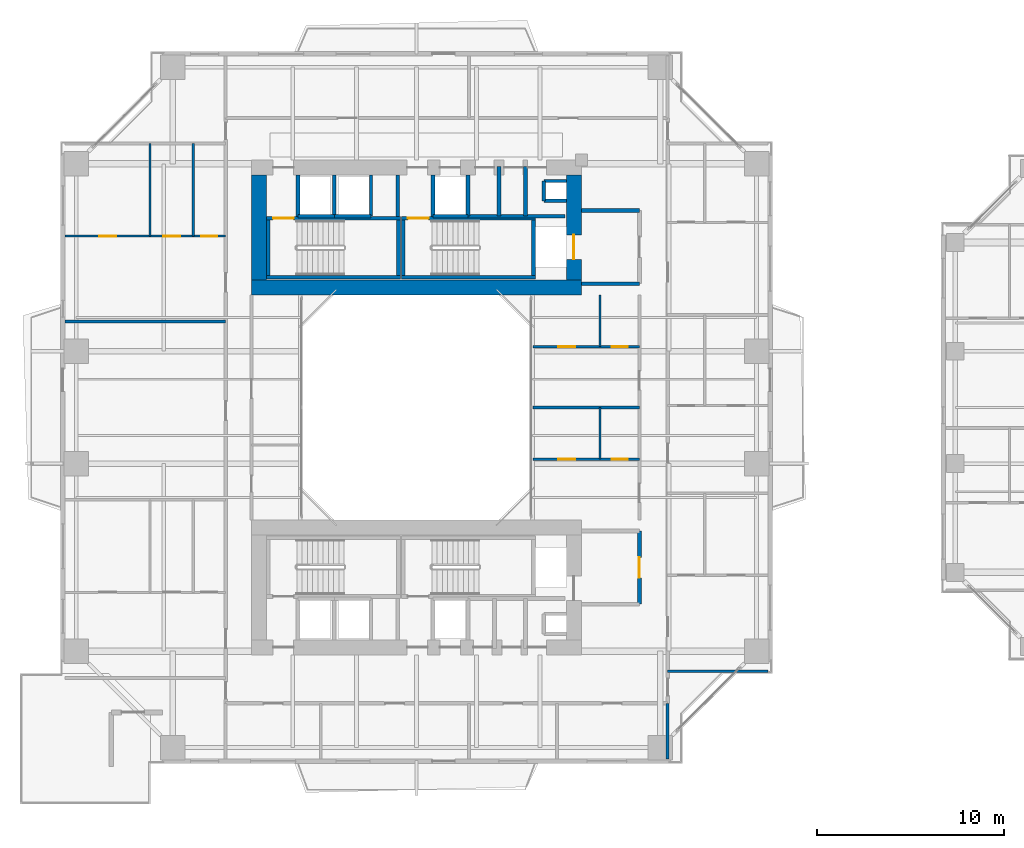
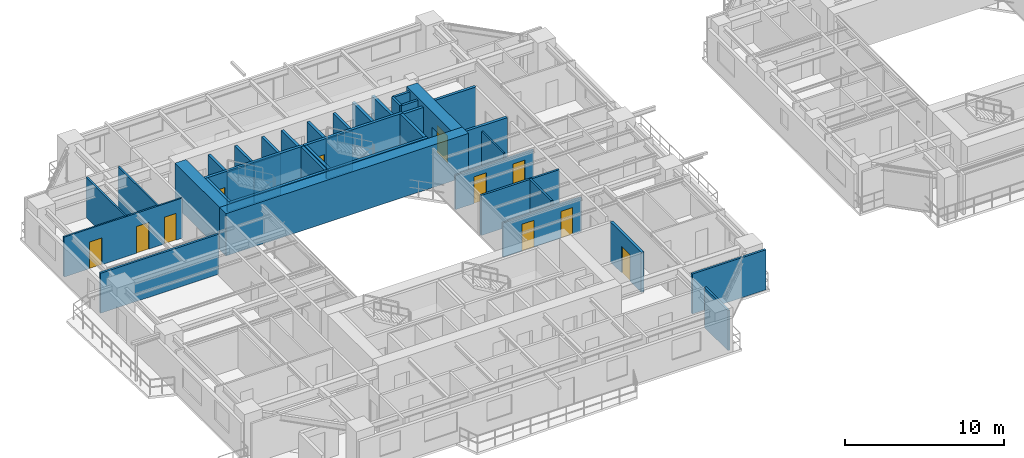
# One storey, part 13 of 22: 40 walls, 11 doors, 11 openings.
"""IFC4 building model written with IfcOpenShell, lengths in metres."""

import ifcopenshell
import ifcopenshell.guid

model = None  # the IFC model being written
_history = None  # IfcOwnerHistory: only IFC2X3 demands one
_inside = {}  # id of a spatial element -> (the spatial element, [elements in it])
_under = {}  # id of a project, library or spatial element -> (it, [spatial elements below it])
_declared = {}  # id of a project -> (the project, [libraries it declares])
_typed = {}  # id of a type object -> (the type object, [elements of that type])
_made_of = {}  # id of a material, layer set ... -> (it, [elements and type objects made of it])


def new_model(schema):
    """Start an empty IFC model of exactly this schema.

    Asked for "IFC4X3", IfcOpenShell would pick the latest addendum, in which some entities
    have other attributes; the version numbers below select the first issue.
    IFC2X3 requires an IfcOwnerHistory on every rooted entity: one is made here for all.
    """
    global model, _history
    if schema == "IFC4X3":
        model = ifcopenshell.file(schema_version=(4, 3, 0, 0))
    else:
        model = ifcopenshell.file(schema=schema)
    _inside.clear()
    _under.clear()
    _declared.clear()
    _typed.clear()
    _made_of.clear()
    _history = None
    if model.schema == "IFC2X3":
        org = make("IfcOrganization", Name="unknown")
        user = make(
            "IfcPersonAndOrganization",
            ThePerson=make("IfcPerson", FamilyName="unknown"),
            TheOrganization=org,
        )
        app = make(
            "IfcApplication",
            ApplicationDeveloper=org,
            Version="unknown",
            ApplicationFullName="unknown",
            ApplicationIdentifier="unknown",
        )
        _history = make(
            "IfcOwnerHistory",
            OwningUser=user,
            OwningApplication=app,
            ChangeAction="ADDED",
            CreationDate=0,
        )
    return model


def make(cls, **values):
    """One entity of the class cls with the attributes given. An attribute that is None is left unset."""
    return model.create_entity(
        cls, **{name: value for name, value in values.items() if value is not None}
    )


def rooted(cls, **values):
    """An entity with a GlobalId (a new one), such as an element, a storey or a relation."""
    return make(cls, GlobalId=ifcopenshell.guid.new(), OwnerHistory=_history, **values)


def si_unit(unit_type, name, prefix=None):
    """IfcSIUnit, for example si_unit("LENGTHUNIT", "METRE", prefix="MILLI")."""
    return make("IfcSIUnit", UnitType=unit_type, Prefix=prefix, Name=name)


def assignment(units):
    """IfcUnitAssignment: the units of a project."""
    return None if units is None else make("IfcUnitAssignment", Units=units)


def point(xyz):
    """IfcCartesianPoint."""
    return None if xyz is None else make("IfcCartesianPoint", Coordinates=xyz)


def direction(xyz):
    """IfcDirection."""
    return None if xyz is None else make("IfcDirection", DirectionRatios=xyz)


def frame(location, z_axis=None, x_axis=None):
    """IfcAxis2Placement3D, a coordinate frame: its origin and axes. An axis left out is left unset."""
    return make(
        "IfcAxis2Placement3D",
        Location=point(location),
        Axis=direction(z_axis),
        RefDirection=direction(x_axis),
    )


def frame_2d(location, x_axis=None):
    """IfcAxis2Placement2D, a coordinate frame in the plane: its origin and x axis."""
    return make(
        "IfcAxis2Placement2D", Location=point(location), RefDirection=direction(x_axis)
    )


def origin():
    """The frame at (0, 0, 0) with its axes left unset."""
    return frame((0.0, 0.0, 0.0))


def place(relative_to, where):
    """IfcLocalPlacement: puts the frame where relative to a parent placement (None: the world)."""
    return make(
        "IfcLocalPlacement", PlacementRelTo=relative_to, RelativePlacement=where
    )


def context(
    kind, dimensions, precision=None, world=None, true_north=None, identifier=None
):
    """IfcGeometricRepresentationContext, for example the 3D "Model" context."""
    return make(
        "IfcGeometricRepresentationContext",
        ContextIdentifier=identifier,
        ContextType=kind,
        CoordinateSpaceDimension=dimensions,
        Precision=precision,
        WorldCoordinateSystem=world,
        TrueNorth=true_north,
    )


def subcontext(parent, identifier, kind, view, scale=None):
    """IfcGeometricRepresentationSubContext, for example "Body" below "Model"."""
    return make(
        "IfcGeometricRepresentationSubContext",
        ContextIdentifier=identifier,
        ContextType=kind,
        ParentContext=parent,
        TargetScale=scale,
        TargetView=view,
    )


def project(units=None, contexts=None):
    """IfcProject with its units and contexts."""
    return rooted(
        "IfcProject",
        Name="project",
        RepresentationContexts=contexts,
        UnitsInContext=assignment(units),
    )


def spatial(cls, under=None, at=None, **own):
    """A site, building, storey or space (cls), placed at a placement, below another one or the project."""
    s = rooted(cls, ObjectPlacement=at, **own)
    if under is not None:
        _under.setdefault(under.id(), (under, []))[1].append(s)
    return s


def profile(cls, at=None, kind="AREA", **sizes):
    """A parametric profile (cls). Its sizes go by their IFC names, for example OverallWidth=200.0."""
    return make(cls, ProfileType=kind, Position=at, **sizes)


def rectangle(**sizes):
    """IfcRectangleProfileDef."""
    return profile("IfcRectangleProfileDef", **sizes)


def extrude(swept, where, along, depth):
    """IfcExtrudedAreaSolid: the profile swept, set in the frame where, extruded along a direction by depth."""
    return make(
        "IfcExtrudedAreaSolid",
        SweptArea=swept,
        Position=where,
        ExtrudedDirection=direction(along),
        Depth=depth,
    )


def shape(context_of_items, identifier, shape_type, items):
    """IfcShapeRepresentation: the items that make up one representation, for example the "Body"."""
    return make(
        "IfcShapeRepresentation",
        ContextOfItems=context_of_items,
        RepresentationIdentifier=identifier,
        RepresentationType=shape_type,
        Items=items,
    )


def source(mapping_origin, context_of_items, identifier, shape_type, items):
    """IfcRepresentationMap: a shape defined once, which mapped items show again and again."""
    return make(
        "IfcRepresentationMap",
        MappingOrigin=mapping_origin,
        MappedRepresentation=shape(context_of_items, identifier, shape_type, items),
    )


def transform(
    local_origin,
    x_axis=None,
    y_axis=None,
    z_axis=None,
    scale=None,
    scale2=None,
    scale3=None,
    uniform=True,
):
    """IfcCartesianTransformationOperator3D, or its non-uniform kind. x_axis, y_axis, z_axis: its Axis1, 2, 3."""
    if uniform:
        return make(
            "IfcCartesianTransformationOperator3D",
            Axis1=direction(x_axis),
            Axis2=direction(y_axis),
            LocalOrigin=point(local_origin),
            Scale=scale,
            Axis3=direction(z_axis),
        )
    return make(
        "IfcCartesianTransformationOperator3DnonUniform",
        Axis1=direction(x_axis),
        Axis2=direction(y_axis),
        LocalOrigin=point(local_origin),
        Scale=scale,
        Axis3=direction(z_axis),
        Scale2=scale2,
        Scale3=scale3,
    )


def mapped(mapping_source, mapping_target):
    """IfcMappedItem: shows the shape of a source again, moved by a transform."""
    return make(
        "IfcMappedItem", MappingSource=mapping_source, MappingTarget=mapping_target
    )


def material(Name=None, Category=None):
    """IfcMaterial."""
    return make("IfcMaterial", Name=Name, Category=Category)


def layer(
    of_material, thickness, ventilated=None, Name=None, Category=None, Priority=None
):
    """IfcMaterialLayer: one layer of a wall or slab, of a material (None: an air gap)."""
    return make(
        "IfcMaterialLayer",
        Material=of_material,
        LayerThickness=thickness,
        IsVentilated=ventilated,
        Name=Name,
        Category=Category,
        Priority=Priority,
    )


def layer_set(layers, Name=None):
    """IfcMaterialLayerSet."""
    return make("IfcMaterialLayerSet", MaterialLayers=layers, LayerSetName=Name)


def made_of(thing, what):
    """Note that an element or type object is made of a material, layer set ...; save() writes the relation."""
    if what is not None:
        _made_of.setdefault(what.id(), (what, []))[1].append(thing)
    return thing


def type_object(cls, material=None, **own):
    """A type object (cls), such as IfcWallType, which elements share."""
    return made_of(rooted(cls, **own), material)


def element(
    cls,
    number,
    at=None,
    inside=None,
    cuts=None,
    type_object=None,
    material=None,
    context=None,
    identifier="Body",
    shape_type=None,
    held_by="IfcProductDefinitionShape",
    body=None,
    shapes=None,
    **own,
):
    """One element of the class cls, such as IfcWall. Its Tag is "e" and its number.

    at: its placement. inside: the storey or other place that contains it. cuts: it is an
    opening in that element (IfcRelVoidsElement). A single representation is given by context,
    identifier, shape_type and body (its items); several are given by shapes. held_by: the class
    of the entity that holds the representations. save() writes the other relations.
    """
    e = rooted(cls, Tag="e%d" % number, ObjectPlacement=at, **own)
    if body is not None:
        shapes = [shape(context, identifier, shape_type, body)]
    if shapes is not None:
        e.Representation = make(held_by, Representations=shapes)
    if inside is not None:
        _inside.setdefault(inside.id(), (inside, []))[1].append(e)
    if cuts is not None:
        rooted(
            "IfcRelVoidsElement", RelatingBuildingElement=cuts, RelatedOpeningElement=e
        )
    if type_object is not None:
        _typed.setdefault(type_object.id(), (type_object, []))[1].append(e)
    return made_of(e, material)


def fill(opening, filler):
    """IfcRelFillsElement: the door or window that sits in an opening."""
    return rooted(
        "IfcRelFillsElement",
        RelatingOpeningElement=opening,
        RelatedBuildingElement=filler,
    )


def aggregate(whole, parts):
    """IfcRelAggregates: a whole, such as a stair, and the parts it consists of."""
    return rooted("IfcRelAggregates", RelatingObject=whole, RelatedObjects=parts)


def save(model, path):
    """Write the relations noted so far, then the file.

    IfcRelAggregates (storeys below a building ...), IfcRelContainedInSpatialStructure (elements
    in a storey), IfcRelDefinesByType, IfcRelAssociatesMaterial and IfcRelDeclares: one each for
    every whole, place, type object, material and project.
    """
    for whole, parts in _under.values():
        aggregate(whole, parts)
    for where, things in _inside.values():
        rooted(
            "IfcRelContainedInSpatialStructure",
            RelatedElements=things,
            RelatingStructure=where,
        )
    for kind, things in _typed.values():
        rooted("IfcRelDefinesByType", RelatedObjects=things, RelatingType=kind)
    for what, things in _made_of.values():
        rooted("IfcRelAssociatesMaterial", RelatedObjects=things, RelatingMaterial=what)
    for by, libraries in _declared.values():
        rooted("IfcRelDeclares", RelatingContext=by, RelatedDefinitions=libraries)
    model.write(path)


model = new_model("IFC4")

# Units and contexts
model_context = context("Model", 3, precision=1e-05, world=origin(), true_north=direction((0.0, 1.0)))
body_context = subcontext(model_context, "Body", "Model", "MODEL_VIEW")
ifc_project = project(units=[si_unit("LENGTHUNIT", "METRE"), si_unit("AREAUNIT", "SQUARE_METRE"), si_unit("VOLUMEUNIT", "CUBIC_METRE"), si_unit("PLANEANGLEUNIT", "RADIAN"), si_unit("MASSUNIT", "GRAM", prefix="KILO"), si_unit("THERMODYNAMICTEMPERATUREUNIT", "KELVIN"), si_unit("POWERUNIT", "WATT")], contexts=[model_context])

# Site, building, storey
site_placement = place(None, origin())
site = spatial("IfcSite", under=ifc_project, at=site_placement, CompositionType="ELEMENT")
building_placement = place(site_placement, origin())
building = spatial("IfcBuilding", under=site, at=building_placement, Name="Qiaomeng Ring Towers", CompositionType="ELEMENT")
storey_placement = place(building_placement, frame((0.0, 0.0, 53.5)))
storey = spatial("IfcBuildingStorey", under=building, at=storey_placement, Name="L14", CompositionType="ELEMENT", Elevation=53.5)

# Walls
ifc_material_1 = material(Name="Autoclaved aerated concrete block", Category="concrete")
ifc_layer_1 = layer(ifc_material_1, 0.199951171875, Name="Autoclaved aerated concrete block")
ifc_layer_set_1 = layer_set([ifc_layer_1], Name="Autoclaved aerated concrete block")
wall_type_1 = type_object("IfcWallType", Name="ARC-WL-PW1", PredefinedType="PARTITIONING", material=ifc_layer_set_1)
for number, where, z_axis, x_axis, name in (
    (1, (27.800048828125, 29.60009765625, 0.0), (0.0, 0.0, 1.0), (1.0, 0.0, 0.0), "L14 Interior Wall PW1"),
    (2, (27.800048828125, 33.5, 0.0), (0.0, 0.0, 1.0), (1.0, 0.0, 0.0), "L14 Interior Wall PW1"),
):
    element("IfcWall", number, at=place(storey_placement, frame(where, z_axis=z_axis, x_axis=x_axis)), inside=storey, type_object=wall_type_1, Name=name, PredefinedType="PARTITIONING", context=body_context, shape_type="SweptSolid", body=[
        extrude(rectangle(XDim=3.099853515625, YDim=0.199951171875, at=frame_2d((1.5498046875, 0.0))), origin(), (0.0, 0.0, 1.0), 3.070068359375),
    ])

# Wall, opening, door
wall_1_placement = place(storey_placement, frame((30.89990234375, 12.5, 0.0), z_axis=(0.0, 0.0, 1.0), x_axis=(0.0, 1.0, 0.0)))
wall_1 = element("IfcWall", 3, at=wall_1_placement, inside=storey, type_object=wall_type_1, Name="L14 Interior Wall PW1", PredefinedType="PARTITIONING", context=body_context, shape_type="SweptSolid", body=[
    extrude(rectangle(XDim=3.89990234375, YDim=0.199951171875, at=frame_2d((1.949951171875, 0.0))), origin(), (0.0, 0.0, 1.0), 3.070068359375),
])
opening_1_placement = place(wall_1_placement, frame((1.39990234375, 0.0, 0.0)))
opening_1 = element("IfcOpeningElement", 4, at=opening_1_placement, cuts=wall_1, Name="Opening FD3", PredefinedType="OPENING", context=body_context, shape_type="SweptSolid", body=[
    extrude(rectangle(XDim=1.10009765625, YDim=2.050048828125, at=frame_2d((0.550048828125, 1.02490234375))), frame((0.0, 0.10986328125, 0.0), z_axis=(0.0, -1.0, 0.0), x_axis=(1.0, 0.0, 0.0)), (0.0, 0.0, 1.0), 0.219970703125),
])
ifc_material_2 = material(Name="Galvanised steel", Category="steel")
door_type_1 = type_object("IfcDoorType", Name="ARC-DR-FD3", OperationType="NOTDEFINED", PredefinedType="DOOR", material=ifc_material_2)
shared_shape_1 = source(origin(), body_context, "Body", "SweptSolid", [
    extrude(rectangle(XDim=1.10009765625, YDim=2.050048828125, at=frame_2d((0.550048828125, 1.02490234375))), frame((0.0, 0.02490234375, 0.0), z_axis=(0.0, -1.0, 0.0), x_axis=(1.0, 0.0, 0.0)), (0.0, 0.0, 1.0), 0.050048828125),
])
door_1_placement = place(opening_1_placement, origin())
door_1 = element("IfcDoor", 5, at=door_1_placement, inside=storey, type_object=door_type_1, Name="L14 South FF Lobby Door", OperationType="SINGLE_SWING_RIGHT", OverallHeight=2.050048828125, OverallWidth=1.10009765625, PredefinedType="DOOR", context=body_context, shape_type="MappedRepresentation", body=[
    mapped(shared_shape_1, transform((0.0, 0.0, 0.0), x_axis=(1.0, 0.0, 0.0), y_axis=(0.0, 1.0, 0.0), z_axis=(0.0, 0.0, 1.0), scale=1.0)),
])
fill(opening_1, door_1)

# Walls
for number, where, z_axis, x_axis, name in (
    (6, (12.679931640625, 33.18994140625, 0.0), (0.0, 0.0, 1.0), (0.0, 1.0, 0.0), "L14 Interior Wall PW1"),
    (7, (18.0, 33.18994140625, 0.0), (0.0, 0.0, 1.0), (0.0, 1.0, 0.0), "L14 Interior Wall PW1"),
    (8, (19.8798828125, 33.18994140625, 0.0), (0.0, 0.0, 1.0), (0.0, 1.0, 0.0), "L14 Interior Wall PW1"),
):
    element("IfcWall", number, at=place(storey_placement, frame(where, z_axis=z_axis, x_axis=x_axis)), inside=storey, type_object=wall_type_1, Name=name, PredefinedType="PARTITIONING", context=body_context, shape_type="SweptSolid", body=[
        extrude(rectangle(XDim=2.2099609375, YDim=0.199951171875, at=frame_2d((1.10498046875, 0.0))), origin(), (0.0, 0.0, 1.0), 3.070068359375),
    ])
wall_2_placement = place(storey_placement, frame((24.820068359375, 33.199951171875, 0.0), z_axis=(0.0, 0.0, 1.0), x_axis=(0.0, 1.0, 0.0)))
element("IfcWall", 9, at=wall_2_placement, inside=storey, type_object=wall_type_1, Name="L14 Interior Wall PW1", PredefinedType="PARTITIONING", context=body_context, shape_type="SweptSolid", body=[
    extrude(rectangle(XDim=2.650146484375, YDim=0.199951171875, at=frame_2d((1.3251953125, 0.0))), origin(), (0.0, 0.0, 1.0), 3.070068359375),
])
wall_3_placement = place(storey_placement, frame((21.75, 33.199951171875, 0.0), z_axis=(0.0, 0.0, 1.0), x_axis=(0.0, 1.0, 0.0)))
element("IfcWall", 10, at=wall_3_placement, inside=storey, type_object=wall_type_1, Name="L14 Interior Wall PW1", PredefinedType="PARTITIONING", context=body_context, shape_type="SweptSolid", body=[
    extrude(rectangle(XDim=2.199951171875, YDim=0.199951171875, at=frame_2d((1.10009765625, 0.0))), origin(), (0.0, 0.0, 1.0), 3.070068359375),
])
wall_4_placement = place(storey_placement, frame((23.39990234375, 33.199951171875, 0.0), z_axis=(0.0, 0.0, 1.0), x_axis=(0.0, 1.0, 0.0)))
element("IfcWall", 11, at=wall_4_placement, inside=storey, type_object=wall_type_1, Name="L14 Interior Wall PW1", PredefinedType="PARTITIONING", context=body_context, shape_type="SweptSolid", body=[
    extrude(rectangle(XDim=2.650146484375, YDim=0.199951171875, at=frame_2d((1.3251953125, 0.0))), origin(), (0.0, 0.0, 1.0), 3.070068359375),
])
wall_5_placement = place(storey_placement, frame((21.75, 33.199951171875, 0.0), z_axis=(0.0, 0.0, 1.0), x_axis=(1.0, 0.0, 0.0)))
element("IfcWall", 12, at=wall_5_placement, inside=storey, type_object=wall_type_1, Name="L14 Interior Wall PW1", PredefinedType="PARTITIONING", context=body_context, shape_type="SweptSolid", body=[
    extrude(rectangle(XDim=5.169921875, YDim=0.199951171875, at=frame_2d((2.5849609375, 0.0))), origin(), (0.0, 0.0, 1.0), 3.070068359375),
])
ifc_material_3 = material(Name="Gypsum fireboard steel-stud partition", Category="steel")
ifc_layer_2 = layer(ifc_material_3, 0.14990234375, Name="Gypsum fireboard steel-stud partition")
ifc_layer_set_2 = layer_set([ifc_layer_2], Name="Gypsum fireboard steel-stud partition")
wall_type_2 = type_object("IfcWallType", Name="ARC-WL-PW3", PredefinedType="PARTITIONING", material=ifc_layer_set_2)
wall_6_placement = place(storey_placement, frame((32.39990234375, 4.25, 0.0), z_axis=(0.0, 0.0, 1.0), x_axis=(0.0, 1.0, 0.0)))
element("IfcWall", 13, at=wall_6_placement, inside=storey, type_object=wall_type_2, Name="L14 Interior Wall PW3", PredefinedType="PARTITIONING", context=body_context, shape_type="SweptSolid", body=[
    extrude(rectangle(XDim=2.9599609375, YDim=0.14990234375, at=frame_2d((1.47998046875, 0.0))), origin(), (0.0, 0.0, 1.0), 3.070068359375),
])
wall_7_placement = place(storey_placement, frame((0.25, 27.580078125, 0.0), z_axis=(0.0, 0.0, 1.0), x_axis=(1.0, 0.0, 0.0)))
element("IfcWall", 14, at=wall_7_placement, inside=storey, type_object=wall_type_2, Name="L14 Interior Wall PW3", PredefinedType="PARTITIONING", context=body_context, shape_type="SweptSolid", body=[
    extrude(rectangle(XDim=8.570068359375, YDim=0.14990234375, at=frame_2d((4.28515625, 0.0))), origin(), (0.0, 0.0, 1.0), 3.070068359375),
])
wall_8_placement = place(storey_placement, frame((32.39990234375, 8.919921875, 0.0), z_axis=(0.0, 0.0, 1.0), x_axis=(1.0, 0.0, 0.0)))
element("IfcWall", 15, at=wall_8_placement, inside=storey, type_object=wall_type_2, Name="L14 Interior Wall PW3", PredefinedType="PARTITIONING", context=body_context, shape_type="SweptSolid", body=[
    extrude(rectangle(XDim=5.35009765625, YDim=0.14990234375, at=frame_2d((2.675048828125, 0.0))), origin(), (0.0, 0.0, 1.0), 3.070068359375),
])
wall_9_placement = place(storey_placement, frame((25.219970703125, 23.0, 0.0), z_axis=(0.0, 0.0, 1.0), x_axis=(1.0, 0.0, 0.0)))
element("IfcWall", 16, at=wall_9_placement, inside=storey, type_object=wall_type_2, Name="L14 Interior Wall PW3", PredefinedType="PARTITIONING", context=body_context, shape_type="SweptSolid", body=[
    extrude(rectangle(XDim=5.679931640625, YDim=0.14990234375, at=frame_2d((2.83984375, 0.0))), origin(), (0.0, 0.0, 1.0), 3.070068359375),
])

# Wall, openings, doors
ifc_material_4 = material(Name="Moisture-resistant gypsum steel-stud partition", Category="steel")
ifc_layer_3 = layer(ifc_material_4, 0.1201171875, Name="Moisture-resistant gypsum steel-stud partition")
ifc_layer_set_3 = layer_set([ifc_layer_3], Name="Moisture-resistant gypsum steel-stud partition")
wall_type_3 = type_object("IfcWallType", Name="ARC-WL-PW4", PredefinedType="PLUMBINGWALL", material=ifc_layer_set_3)
wall_10_placement = place(storey_placement, frame((0.25, 32.139892578125, 0.0), z_axis=(0.0, 0.0, 1.0), x_axis=(1.0, 0.0, 0.0)))
wall_10 = element("IfcWall", 17, at=wall_10_placement, inside=storey, type_object=wall_type_3, Name="L14 Interior Wall PW4", PredefinedType="PLUMBINGWALL", context=body_context, shape_type="SweptSolid", body=[
    extrude(rectangle(XDim=8.570068359375, YDim=0.1201171875, at=frame_2d((4.28515625, 0.0))), origin(), (0.0, 0.0, 1.0), 3.070068359375),
])
opening_2_placement = place(wall_10_placement, frame((1.824951171875, 0.0, 0.0)))
opening_2 = element("IfcOpeningElement", 18, at=opening_2_placement, cuts=wall_10, Name="Opening ID1", PredefinedType="OPENING", context=body_context, shape_type="SweptSolid", body=[
    extrude(rectangle(XDim=0.89990234375, YDim=2.050048828125, at=frame_2d((0.449951171875, 1.02490234375))), frame((0.0, 0.070068359375, 0.0), z_axis=(0.0, -1.0, 0.0), x_axis=(1.0, 0.0, 0.0)), (0.0, 0.0, 1.0), 0.14013671875),
])
opening_3_placement = place(wall_10_placement, frame((5.239990234375, 0.0, 0.0)))
opening_3 = element("IfcOpeningElement", 19, at=opening_3_placement, cuts=wall_10, Name="Opening ID1", PredefinedType="OPENING", context=body_context, shape_type="SweptSolid", body=[
    extrude(rectangle(XDim=0.89990234375, YDim=2.050048828125, at=frame_2d((0.449951171875, 1.02490234375))), frame((0.0, 0.070068359375, 0.0), z_axis=(0.0, -1.0, 0.0), x_axis=(1.0, 0.0, 0.0)), (0.0, 0.0, 1.0), 0.14013671875),
])
opening_4_placement = place(wall_10_placement, frame((7.27490234375, 0.0, 0.0)))
opening_4 = element("IfcOpeningElement", 20, at=opening_4_placement, cuts=wall_10, Name="Opening ID2", PredefinedType="OPENING", context=body_context, shape_type="SweptSolid", body=[
    extrude(rectangle(XDim=0.85009765625, YDim=2.050048828125, at=frame_2d((0.425048828125, 1.02490234375))), frame((0.0, 0.070068359375, 0.0), z_axis=(0.0, -1.0, 0.0), x_axis=(1.0, 0.0, 0.0)), (0.0, 0.0, 1.0), 0.14013671875),
])
ifc_material_5 = material(Name="Moisture-resistant engineered timber", Category="wood")
door_type_2 = type_object("IfcDoorType", Name="ARC-DR-ID2", OperationType="NOTDEFINED", PredefinedType="DOOR", material=ifc_material_5)
shared_shape_2 = source(origin(), body_context, "Body", "SweptSolid", [
    extrude(rectangle(XDim=0.85009765625, YDim=2.050048828125, at=frame_2d((0.425048828125, 1.02490234375))), frame((0.0, 0.02490234375, 0.0), z_axis=(0.0, -1.0, 0.0), x_axis=(1.0, 0.0, 0.0)), (0.0, 0.0, 1.0), 0.050048828125),
])
door_2_placement = place(opening_4_placement, origin())
door_2 = element("IfcDoor", 21, at=door_2_placement, inside=storey, type_object=door_type_2, Name="L14 Door ID2", OperationType="SINGLE_SWING_RIGHT", OverallHeight=2.050048828125, OverallWidth=0.85009765625, PredefinedType="DOOR", context=body_context, shape_type="MappedRepresentation", body=[
    mapped(shared_shape_2, transform((0.0, 0.0, 0.0), x_axis=(1.0, 0.0, 0.0), y_axis=(0.0, 1.0, 0.0), z_axis=(0.0, 0.0, 1.0), scale=1.0)),
])
fill(opening_4, door_2)
ifc_material_6 = material(Name="Engineered oak timber", Category="wood")
door_type_3 = type_object("IfcDoorType", Name="ARC-DR-ID1", OperationType="NOTDEFINED", PredefinedType="DOOR", material=ifc_material_6)
shared_shape_3 = source(origin(), body_context, "Body", "SweptSolid", [
    extrude(rectangle(XDim=0.89990234375, YDim=2.050048828125, at=frame_2d((0.449951171875, 1.02490234375))), frame((0.0, 0.02490234375, 0.0), z_axis=(0.0, -1.0, 0.0), x_axis=(1.0, 0.0, 0.0)), (0.0, 0.0, 1.0), 0.050048828125),
])
door_3_placement = place(opening_2_placement, origin())
door_3 = element("IfcDoor", 22, at=door_3_placement, inside=storey, type_object=door_type_3, Name="L14 Door ID1", OperationType="SINGLE_SWING_RIGHT", OverallHeight=2.050048828125, OverallWidth=0.89990234375, PredefinedType="DOOR", context=body_context, shape_type="MappedRepresentation", body=[
    mapped(shared_shape_3, transform((0.0, 0.0, 0.0), x_axis=(1.0, 0.0, 0.0), y_axis=(0.0, 1.0, 0.0), z_axis=(0.0, 0.0, 1.0), scale=1.0)),
])
fill(opening_2, door_3)
door_4_placement = place(opening_3_placement, origin())
door_4 = element("IfcDoor", 23, at=door_4_placement, inside=storey, type_object=door_type_3, Name="L14 Door ID1", OperationType="SINGLE_SWING_LEFT", OverallHeight=2.050048828125, OverallWidth=0.89990234375, PredefinedType="DOOR", context=body_context, shape_type="MappedRepresentation", body=[
    mapped(shared_shape_3, transform((0.0, 0.0, 0.0), x_axis=(1.0, 0.0, 0.0), y_axis=(0.0, 1.0, 0.0), z_axis=(0.0, 0.0, 1.0), scale=1.0)),
])
fill(opening_3, door_4)

# Walls
for number, where, z_axis, x_axis, name in (
    (24, (4.780029296875, 32.139892578125, 0.0), (0.0, 0.0, 1.0), (0.0, 1.0, 0.0), "L14 Interior Wall PW4"),
    (25, (7.10009765625, 32.139892578125, 0.0), (0.0, 0.0, 1.0), (0.0, 1.0, 0.0), "L14 Interior Wall PW4"),
):
    element("IfcWall", number, at=place(storey_placement, frame(where, z_axis=z_axis, x_axis=x_axis)), inside=storey, type_object=wall_type_3, Name=name, PredefinedType="PLUMBINGWALL", context=body_context, shape_type="SweptSolid", body=[
        extrude(rectangle(XDim=4.940185546875, YDim=0.1201171875, at=frame_2d((2.47021484375, 0.0))), origin(), (0.0, 0.0, 1.0), 3.070068359375),
    ])

# Wall, openings, doors
wall_11_placement = place(storey_placement, frame((25.219970703125, 20.239990234375, 0.0), z_axis=(0.0, 0.0, 1.0), x_axis=(1.0, 0.0, 0.0)))
wall_11 = element("IfcWall", 26, at=wall_11_placement, inside=storey, type_object=wall_type_3, Name="L14 Interior Wall PW4", PredefinedType="PLUMBINGWALL", context=body_context, shape_type="SweptSolid", body=[
    extrude(rectangle(XDim=5.679931640625, YDim=0.1201171875, at=frame_2d((2.83984375, 0.0))), origin(), (0.0, 0.0, 1.0), 2.625),
])
opening_5_placement = place(wall_11_placement, frame((1.35009765625, 0.0, 0.0)))
opening_5 = element("IfcOpeningElement", 27, at=opening_5_placement, cuts=wall_11, Name="Opening ID1", PredefinedType="OPENING", context=body_context, shape_type="SweptSolid", body=[
    extrude(rectangle(XDim=0.89990234375, YDim=2.050048828125, at=frame_2d((0.449951171875, 1.02490234375))), frame((0.0, 0.070068359375, 0.0), z_axis=(0.0, -1.0, 0.0), x_axis=(1.0, 0.0, 0.0)), (0.0, 0.0, 1.0), 0.14013671875),
])
opening_6_placement = place(wall_11_placement, frame((4.195068359375, 0.0, 0.0)))
opening_6 = element("IfcOpeningElement", 28, at=opening_6_placement, cuts=wall_11, Name="Opening ID2", PredefinedType="OPENING", context=body_context, shape_type="SweptSolid", body=[
    extrude(rectangle(XDim=0.85009765625, YDim=2.050048828125, at=frame_2d((0.425048828125, 1.02490234375))), frame((0.0, 0.070068359375, 0.0), z_axis=(0.0, -1.0, 0.0), x_axis=(1.0, 0.0, 0.0)), (0.0, 0.0, 1.0), 0.14013671875),
])
door_5_placement = place(opening_6_placement, origin())
door_5 = element("IfcDoor", 29, at=door_5_placement, inside=storey, type_object=door_type_2, Name="L14 Door ID2", OperationType="SINGLE_SWING_RIGHT", OverallHeight=2.050048828125, OverallWidth=0.85009765625, PredefinedType="DOOR", context=body_context, shape_type="MappedRepresentation", body=[
    mapped(shared_shape_2, transform((0.0, 0.0, 0.0), x_axis=(1.0, 0.0, 0.0), y_axis=(0.0, 1.0, 0.0), z_axis=(0.0, 0.0, 1.0), scale=1.0)),
])
fill(opening_6, door_5)
door_6_placement = place(opening_5_placement, origin())
door_6 = element("IfcDoor", 30, at=door_6_placement, inside=storey, type_object=door_type_3, Name="L14 Door ID1", OperationType="SINGLE_SWING_LEFT", OverallHeight=2.050048828125, OverallWidth=0.89990234375, PredefinedType="DOOR", context=body_context, shape_type="MappedRepresentation", body=[
    mapped(shared_shape_3, transform((0.0, 0.0, 0.0), x_axis=(1.0, 0.0, 0.0), y_axis=(0.0, 1.0, 0.0), z_axis=(0.0, 0.0, 1.0), scale=1.0)),
])
fill(opening_5, door_6)

# Wall
wall_12_placement = place(storey_placement, frame((28.800048828125, 20.239990234375, 0.0), z_axis=(0.0, 0.0, 1.0), x_axis=(0.0, 1.0, 0.0)))
element("IfcWall", 31, at=wall_12_placement, inside=storey, type_object=wall_type_3, Name="L14 Interior Wall PW4", PredefinedType="PLUMBINGWALL", context=body_context, shape_type="SweptSolid", body=[
    extrude(rectangle(XDim=2.760009765625, YDim=0.1201171875, at=frame_2d((1.3798828125, 0.0))), origin(), (0.0, 0.0, 1.0), 3.070068359375),
])

# Wall, openings, doors
wall_13_placement = place(storey_placement, frame((25.219970703125, 26.239990234375, 0.0), z_axis=(0.0, 0.0, 1.0), x_axis=(1.0, 0.0, 0.0)))
wall_13 = element("IfcWall", 32, at=wall_13_placement, inside=storey, type_object=wall_type_3, Name="L14 Interior Wall PW4", PredefinedType="PLUMBINGWALL", context=body_context, shape_type="SweptSolid", body=[
    extrude(rectangle(XDim=5.679931640625, YDim=0.1201171875, at=frame_2d((2.83984375, 0.0))), origin(), (0.0, 0.0, 1.0), 2.625),
])
opening_7_placement = place(wall_13_placement, frame((1.35009765625, 0.0, 0.0)))
opening_7 = element("IfcOpeningElement", 33, at=opening_7_placement, cuts=wall_13, Name="Opening ID1", PredefinedType="OPENING", context=body_context, shape_type="SweptSolid", body=[
    extrude(rectangle(XDim=0.89990234375, YDim=2.050048828125, at=frame_2d((0.449951171875, 1.02490234375))), frame((0.0, 0.070068359375, 0.0), z_axis=(0.0, -1.0, 0.0), x_axis=(1.0, 0.0, 0.0)), (0.0, 0.0, 1.0), 0.14013671875),
])
opening_8_placement = place(wall_13_placement, frame((4.195068359375, 0.0, 0.0)))
opening_8 = element("IfcOpeningElement", 34, at=opening_8_placement, cuts=wall_13, Name="Opening ID2", PredefinedType="OPENING", context=body_context, shape_type="SweptSolid", body=[
    extrude(rectangle(XDim=0.85009765625, YDim=2.050048828125, at=frame_2d((0.425048828125, 1.02490234375))), frame((0.0, 0.070068359375, 0.0), z_axis=(0.0, -1.0, 0.0), x_axis=(1.0, 0.0, 0.0)), (0.0, 0.0, 1.0), 0.14013671875),
])
door_7_placement = place(opening_8_placement, origin())
door_7 = element("IfcDoor", 35, at=door_7_placement, inside=storey, type_object=door_type_2, Name="L14 Door ID2", OperationType="SINGLE_SWING_RIGHT", OverallHeight=2.050048828125, OverallWidth=0.85009765625, PredefinedType="DOOR", context=body_context, shape_type="MappedRepresentation", body=[
    mapped(shared_shape_2, transform((0.0, 0.0, 0.0), x_axis=(1.0, 0.0, 0.0), y_axis=(0.0, 1.0, 0.0), z_axis=(0.0, 0.0, 1.0), scale=1.0)),
])
fill(opening_8, door_7)
door_8_placement = place(opening_7_placement, origin())
door_8 = element("IfcDoor", 36, at=door_8_placement, inside=storey, type_object=door_type_3, Name="L14 Door ID1", OperationType="SINGLE_SWING_LEFT", OverallHeight=2.050048828125, OverallWidth=0.89990234375, PredefinedType="DOOR", context=body_context, shape_type="MappedRepresentation", body=[
    mapped(shared_shape_3, transform((0.0, 0.0, 0.0), x_axis=(1.0, 0.0, 0.0), y_axis=(0.0, 1.0, 0.0), z_axis=(0.0, 0.0, 1.0), scale=1.0)),
])
fill(opening_7, door_8)

# Walls
wall_14_placement = place(storey_placement, frame((28.800048828125, 26.239990234375, 0.0), z_axis=(0.0, 0.0, 1.0), x_axis=(0.0, 1.0, 0.0)))
element("IfcWall", 37, at=wall_14_placement, inside=storey, type_object=wall_type_3, Name="L14 Interior Wall PW4", PredefinedType="PLUMBINGWALL", context=body_context, shape_type="SweptSolid", body=[
    extrude(rectangle(XDim=2.760009765625, YDim=0.1201171875, at=frame_2d((1.3798828125, 0.0))), origin(), (0.0, 0.0, 1.0), 3.070068359375),
])
ifc_material_7 = material(Name="Concrete C40", Category="concrete")
ifc_layer_4 = layer(ifc_material_7, 0.199951171875, Name="Concrete C40")
ifc_layer_set_4 = layer_set([ifc_layer_4], Name="Concrete C40")
wall_type_4 = type_object("IfcWallType", Name="STR-WL-STSHAFT", PredefinedType="SHEAR", material=ifc_layer_set_4)
wall_15_placement = place(storey_placement, frame((12.679931640625, 33.199951171875, 0.0), z_axis=(0.0, 0.0, 1.0), x_axis=(1.0, 0.0, 0.0)))
element("IfcWall", 38, at=wall_15_placement, inside=storey, type_object=wall_type_4, Name="L14 Lift LP5 Shaft Back Wall", PredefinedType="SHEAR", context=body_context, shape_type="SweptSolid", body=[
    extrude(rectangle(XDim=1.940185546875, YDim=0.179931640625, at=frame_2d((0.97021484375, 0.0))), origin(), (0.0, 0.0, 1.0), 3.070068359375),
])
wall_16_placement = place(storey_placement, frame((14.6201171875, 33.199951171875, 0.0), z_axis=(0.0, 0.0, 1.0), x_axis=(0.0, 1.0, 0.0)))
element("IfcWall", 39, at=wall_16_placement, inside=storey, type_object=wall_type_4, Name="L14 Lift LP5-LP3 Shaft Divider Wall", PredefinedType="SHEAR", context=body_context, shape_type="SweptSolid", body=[
    extrude(rectangle(XDim=2.199951171875, YDim=0.179931640625, at=frame_2d((1.10009765625, 0.0))), origin(), (0.0, 0.0, 1.0), 3.070068359375),
])
wall_17_placement = place(storey_placement, frame((25.800048828125, 34.02001953125, 0.0), z_axis=(0.0, 0.0, 1.0), x_axis=(0.0, 1.0, 0.0)))
element("IfcWall", 40, at=wall_17_placement, inside=storey, type_object=wall_type_4, Name="L14 Riser RSR1 West Shaft Wall N", PredefinedType="SHEAR", context=body_context, shape_type="SweptSolid", body=[
    extrude(rectangle(XDim=1.06005859375, YDim=0.179931640625, at=frame_2d((0.530029296875, 0.0))), origin(), (0.0, 0.0, 1.0), 3.070068359375),
])
for number, where, z_axis, x_axis, name in (
    (41, (25.800048828125, 35.080078125, 0.0), (0.0, 0.0, 1.0), (1.0, 0.0, 0.0), "L14 Riser RSR1 North Shaft Wall N"),
    (42, (25.800048828125, 34.02001953125, 0.0), (0.0, 0.0, 1.0), (1.0, 0.0, 0.0), "L14 Riser RSR1 South Shaft Wall N"),
):
    element("IfcWall", number, at=place(storey_placement, frame(where, z_axis=z_axis, x_axis=x_axis)), inside=storey, type_object=wall_type_4, Name=name, PredefinedType="SHEAR", context=body_context, shape_type="SweptSolid", body=[
        extrude(rectangle(XDim=1.199951171875, YDim=0.179931640625, at=frame_2d((0.60009765625, 0.0))), origin(), (0.0, 0.0, 1.0), 3.070068359375),
    ])
wall_18_placement = place(storey_placement, frame((14.6201171875, 33.199951171875, 0.0), z_axis=(0.0, 0.0, 1.0), x_axis=(1.0, 0.0, 0.0)))
element("IfcWall", 43, at=wall_18_placement, inside=storey, type_object=wall_type_4, Name="L14 Lift LP3 Shaft Back Wall", PredefinedType="SHEAR", context=body_context, shape_type="SweptSolid", body=[
    extrude(rectangle(XDim=1.9599609375, YDim=0.179931640625, at=frame_2d((0.97998046875, 0.0))), origin(), (0.0, 0.0, 1.0), 3.070068359375),
])
wall_19_placement = place(storey_placement, frame((16.580078125, 33.199951171875, 0.0), z_axis=(0.0, 0.0, 1.0), x_axis=(0.0, 1.0, 0.0)))
element("IfcWall", 44, at=wall_19_placement, inside=storey, type_object=wall_type_4, Name="L14 Lift LP3 East Shaft Wall", PredefinedType="SHEAR", context=body_context, shape_type="SweptSolid", body=[
    extrude(rectangle(XDim=2.199951171875, YDim=0.179931640625, at=frame_2d((1.10009765625, 0.0))), origin(), (0.0, 0.0, 1.0), 3.070068359375),
])
wall_20_placement = place(storey_placement, frame((19.8798828125, 33.199951171875, 0.0), z_axis=(0.0, 0.0, 1.0), x_axis=(1.0, 0.0, 0.0)))
element("IfcWall", 45, at=wall_20_placement, inside=storey, type_object=wall_type_4, Name="L14 Lift LP1 Shaft Back Wall", PredefinedType="SHEAR", context=body_context, shape_type="SweptSolid", body=[
    extrude(rectangle(XDim=1.8701171875, YDim=0.179931640625, at=frame_2d((0.93505859375, 0.0))), origin(), (0.0, 0.0, 1.0), 3.070068359375),
])
wall_21_placement = place(storey_placement, frame((11.0, 29.949951171875, 0.0), z_axis=(0.0, 0.0, 1.0), x_axis=(1.0, 0.0, 0.0)))
element("IfcWall", 46, at=wall_21_placement, inside=storey, type_object=wall_type_4, Name="L14 Stair ST1 South Shaft Shear Wall", PredefinedType="SHEAR", context=body_context, shape_type="SweptSolid", body=[
    extrude(rectangle(XDim=7.14990234375, YDim=0.199951171875, at=frame_2d((3.574951171875, 0.0))), origin(), (0.0, 0.0, 1.0), 3.25),
])

# Wall, opening, door
wall_22_placement = place(storey_placement, frame((11.0, 33.090087890625, 0.0), z_axis=(0.0, 0.0, 1.0), x_axis=(1.0, 0.0, 0.0)))
wall_22 = element("IfcWall", 47, at=wall_22_placement, inside=storey, type_object=wall_type_4, Name="L14 Stair ST1 North Shaft Shear Wall", PredefinedType="SHEAR", context=body_context, shape_type="SweptSolid", body=[
    extrude(rectangle(XDim=7.14990234375, YDim=0.199951171875, at=frame_2d((3.574951171875, 0.0))), origin(), (0.0, 0.0, 1.0), 3.25),
])
opening_9_placement = place(wall_22_placement, frame((0.35009765625, 0.0, 0.0)))
opening_9 = element("IfcOpeningElement", 48, at=opening_9_placement, cuts=wall_22, Name="Opening FD3", PredefinedType="OPENING", context=body_context, shape_type="SweptSolid", body=[
    extrude(rectangle(XDim=1.10009765625, YDim=2.050048828125, at=frame_2d((0.550048828125, 1.02490234375))), frame((0.0, 0.10986328125, 0.0), z_axis=(0.0, -1.0, 0.0), x_axis=(1.0, 0.0, 0.0)), (0.0, 0.0, 1.0), 0.219970703125),
])
door_9_placement = place(opening_9_placement, origin())
door_9 = element("IfcDoor", 49, at=door_9_placement, inside=storey, type_object=door_type_1, Name="L14 Stair ST1 Exit Door", OperationType="SINGLE_SWING_RIGHT", OverallHeight=2.050048828125, OverallWidth=1.10009765625, PredefinedType="DOOR", context=body_context, shape_type="MappedRepresentation", body=[
    mapped(shared_shape_1, transform((0.0, 0.0, 0.0), x_axis=(1.0, 0.0, 0.0), y_axis=(0.0, 1.0, 0.0), z_axis=(0.0, 0.0, 1.0), scale=1.0)),
])
fill(opening_9, door_9)

# Walls
for number, where, z_axis, x_axis, name in (
    (50, (11.10009765625, 30.050048828125, 0.0), (0.0, 0.0, 1.0), (0.0, 1.0, 0.0), "L14 Stair ST1 West Shaft Shear Wall"),
    (51, (18.050048828125, 30.050048828125, 0.0), (0.0, 0.0, 1.0), (0.0, 1.0, 0.0), "L14 Stair ST1 East Shaft Shear Wall"),
):
    element("IfcWall", number, at=place(storey_placement, frame(where, z_axis=z_axis, x_axis=x_axis)), inside=storey, type_object=wall_type_4, Name=name, PredefinedType="SHEAR", context=body_context, shape_type="SweptSolid", body=[
        extrude(rectangle(XDim=2.93994140625, YDim=0.199951171875, at=frame_2d((1.469970703125, 0.0))), origin(), (0.0, 0.0, 1.0), 3.25),
    ])
wall_23_placement = place(storey_placement, frame((18.199951171875, 29.949951171875, 0.0), z_axis=(0.0, 0.0, 1.0), x_axis=(1.0, 0.0, 0.0)))
element("IfcWall", 52, at=wall_23_placement, inside=storey, type_object=wall_type_4, Name="L14 Stair ST2 South Shaft Shear Wall", PredefinedType="SHEAR", context=body_context, shape_type="SweptSolid", body=[
    extrude(rectangle(XDim=7.150146484375, YDim=0.199951171875, at=frame_2d((3.5751953125, 0.0))), origin(), (0.0, 0.0, 1.0), 3.25),
])

# Wall, opening, door
wall_24_placement = place(storey_placement, frame((18.199951171875, 33.090087890625, 0.0), z_axis=(0.0, 0.0, 1.0), x_axis=(1.0, 0.0, 0.0)))
wall_24 = element("IfcWall", 53, at=wall_24_placement, inside=storey, type_object=wall_type_4, Name="L14 Stair ST2 North Shaft Shear Wall", PredefinedType="SHEAR", context=body_context, shape_type="SweptSolid", body=[
    extrude(rectangle(XDim=7.150146484375, YDim=0.199951171875, at=frame_2d((3.5751953125, 0.0))), origin(), (0.0, 0.0, 1.0), 3.25),
])
opening_10_placement = place(wall_24_placement, frame((0.35009765625, 0.0, 0.0)))
opening_10 = element("IfcOpeningElement", 54, at=opening_10_placement, cuts=wall_24, Name="Opening FD3", PredefinedType="OPENING", context=body_context, shape_type="SweptSolid", body=[
    extrude(rectangle(XDim=1.10009765625, YDim=2.050048828125, at=frame_2d((0.550048828125, 1.02490234375))), frame((0.0, 0.10986328125, 0.0), z_axis=(0.0, -1.0, 0.0), x_axis=(1.0, 0.0, 0.0)), (0.0, 0.0, 1.0), 0.219970703125),
])
door_10_placement = place(opening_10_placement, origin())
door_10 = element("IfcDoor", 55, at=door_10_placement, inside=storey, type_object=door_type_1, Name="L14 Stair ST2 Exit Door", OperationType="SINGLE_SWING_RIGHT", OverallHeight=2.050048828125, OverallWidth=1.10009765625, PredefinedType="DOOR", context=body_context, shape_type="MappedRepresentation", body=[
    mapped(shared_shape_1, transform((0.0, 0.0, 0.0), x_axis=(1.0, 0.0, 0.0), y_axis=(0.0, 1.0, 0.0), z_axis=(0.0, 0.0, 1.0), scale=1.0)),
])
fill(opening_10, door_10)

# Walls
for number, where, z_axis, x_axis, name in (
    (56, (18.300048828125, 30.050048828125, 0.0), (0.0, 0.0, 1.0), (0.0, 1.0, 0.0), "L14 Stair ST2 West Shaft Shear Wall"),
    (57, (25.25, 30.050048828125, 0.0), (0.0, 0.0, 1.0), (0.0, 1.0, 0.0), "L14 Stair ST2 East Shaft Shear Wall"),
):
    element("IfcWall", number, at=place(storey_placement, frame(where, z_axis=z_axis, x_axis=x_axis)), inside=storey, type_object=wall_type_4, Name=name, PredefinedType="SHEAR", context=body_context, shape_type="SweptSolid", body=[
        extrude(rectangle(XDim=2.93994140625, YDim=0.199951171875, at=frame_2d((1.469970703125, 0.0))), origin(), (0.0, 0.0, 1.0), 3.25),
    ])
ifc_material_8 = material(Name="Concrete C60", Category="concrete")
ifc_layer_5 = layer(ifc_material_8, 0.800048828125, Name="Concrete C60")
ifc_layer_set_5 = layer_set([ifc_layer_5], Name="Concrete C60")
wall_type_5 = type_object("IfcWallType", Name="STR-WL-SW1", PredefinedType="SHEAR", material=ifc_layer_set_5)
wall_25_placement = place(storey_placement, frame((10.199951171875, 29.39990234375, 0.0), z_axis=(0.0, 0.0, 1.0), x_axis=(1.0, 0.0, 0.0)))
element("IfcWall", 58, at=wall_25_placement, inside=storey, type_object=wall_type_5, Name="L14 T1NC south core shear wall", PredefinedType="SHEAR", context=body_context, shape_type="SweptSolid", body=[
    extrude(rectangle(XDim=17.60009765625, YDim=0.800048828125, at=frame_2d((8.800048828125, 0.0))), origin(), (0.0, 0.0, 1.0), 3.25),
])
wall_26_placement = place(storey_placement, frame((10.60009765625, 29.800048828125, 0.0), z_axis=(0.0, 0.0, 1.0), x_axis=(0.0, 1.0, 0.0)))
element("IfcWall", 59, at=wall_26_placement, inside=storey, type_object=wall_type_5, Name="L14 T1NC west core shear wall", PredefinedType="SHEAR", context=body_context, shape_type="SweptSolid", body=[
    extrude(rectangle(XDim=5.599853515625, YDim=0.800048828125, at=frame_2d((2.7998046875, 0.0))), origin(), (0.0, 0.0, 1.0), 3.25),
])

# Wall, opening, door
wall_27_placement = place(storey_placement, frame((27.39990234375, 29.800048828125, 0.0), z_axis=(0.0, 0.0, 1.0), x_axis=(0.0, 1.0, 0.0)))
wall_27 = element("IfcWall", 60, at=wall_27_placement, inside=storey, type_object=wall_type_5, Name="L14 T1NC east core shear wall", PredefinedType="SHEAR", context=body_context, shape_type="SweptSolid", body=[
    extrude(rectangle(XDim=5.599853515625, YDim=0.800048828125, at=frame_2d((2.7998046875, 0.0))), origin(), (0.0, 0.0, 1.0), 3.25),
])
opening_11_placement = place(wall_27_placement, frame((1.10009765625, 0.0, 0.0)))
opening_11 = element("IfcOpeningElement", 61, at=opening_11_placement, cuts=wall_27, Name="Opening LD2", PredefinedType="OPENING", context=body_context, shape_type="SweptSolid", body=[
    extrude(rectangle(XDim=1.300048828125, YDim=2.050048828125, at=frame_2d((0.64990234375, 1.02490234375))), frame((0.0, 0.409912109375, 0.0), z_axis=(0.0, -1.0, 0.0), x_axis=(1.0, 0.0, 0.0)), (0.0, 0.0, 1.0), 0.820068359375),
])
ifc_material_9 = material(Name="Stainless steel 316", Category="steel")
door_type_4 = type_object("IfcDoorType", Name="ARC-DR-LD2", OperationType="NOTDEFINED", PredefinedType="DOOR", material=ifc_material_9)
shared_shape_4 = source(origin(), body_context, "Body", "SweptSolid", [
    extrude(rectangle(XDim=1.300048828125, YDim=2.050048828125, at=frame_2d((0.64990234375, 1.02490234375))), frame((0.0, 0.02490234375, 0.0), z_axis=(0.0, -1.0, 0.0), x_axis=(1.0, 0.0, 0.0)), (0.0, 0.0, 1.0), 0.050048828125),
])
door_11_placement = place(opening_11_placement, origin())
door_11 = element("IfcDoor", 62, at=door_11_placement, inside=storey, type_object=door_type_4, Name="L14 Firefighting Lift FL1 Landing Door", OperationType="SLIDING_TO_LEFT", OverallHeight=2.050048828125, OverallWidth=1.300048828125, PredefinedType="DOOR", context=body_context, shape_type="MappedRepresentation", body=[
    mapped(shared_shape_4, transform((0.0, 0.0, 0.0), x_axis=(1.0, 0.0, 0.0), y_axis=(0.0, 1.0, 0.0), z_axis=(0.0, 0.0, 1.0), scale=1.0)),
])
fill(opening_11, door_11)

save(model, "model.ifc")
